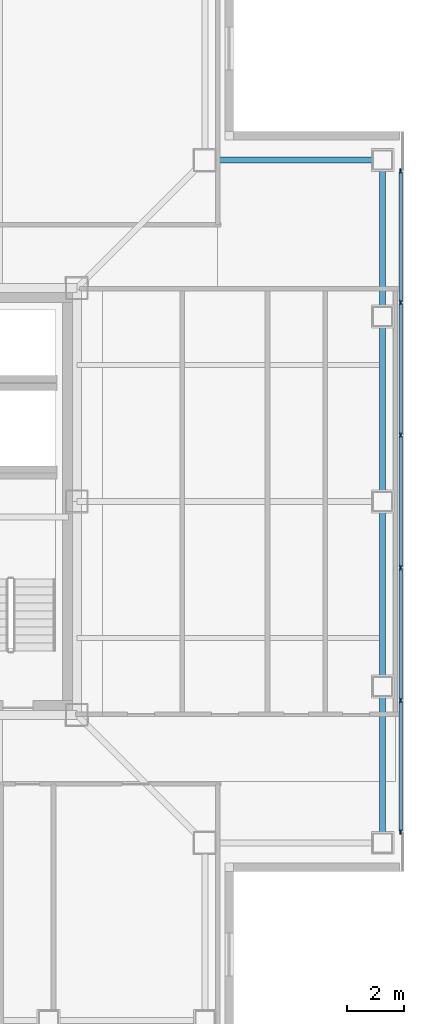
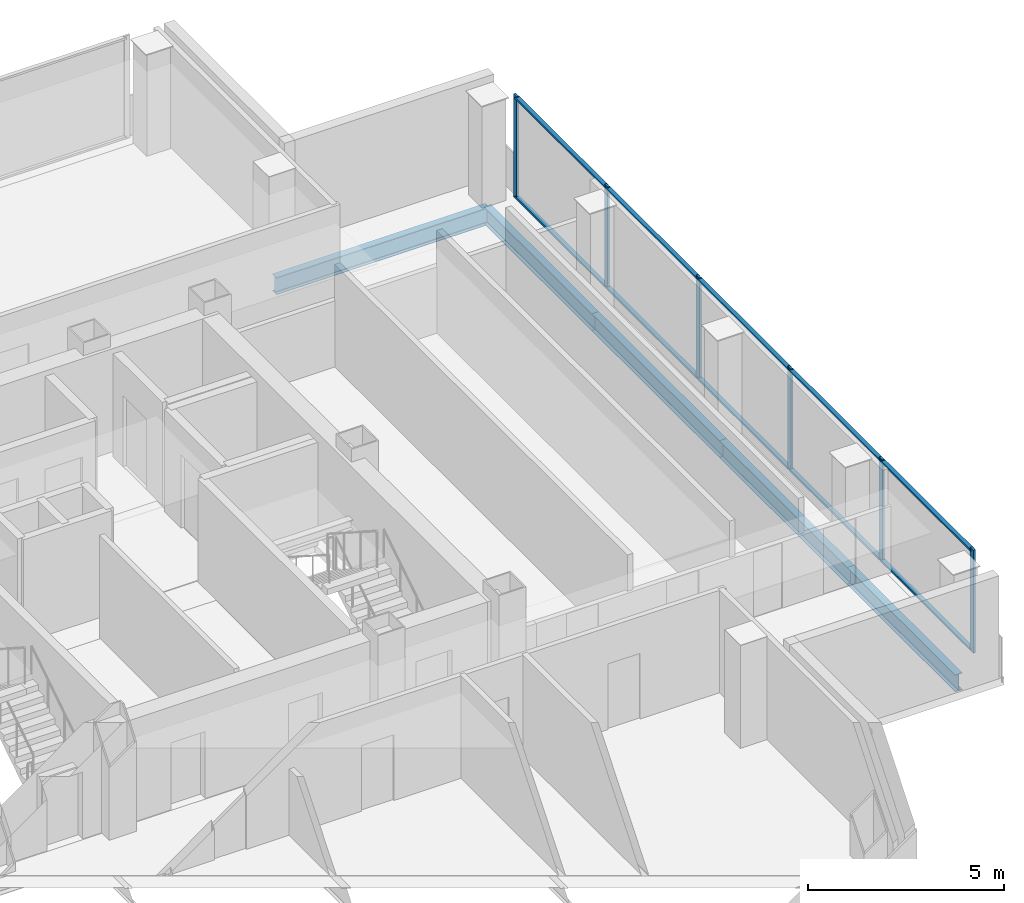
# One storey, part 6 of 16: 16 members, 5 beams, 1 element without a shape of its own.
"""IFC4 building model written with IfcOpenShell, lengths in metres."""

from ifc_helpers import new_model, si_unit, direction, frame, origin, origin_2d, place, context, subcontext, project, spatial, rectangle, i_section, extrude, material, layer, layer_set, material_profile, profile_set, type_object, element, aggregate, save


model = new_model("IFC4")

# Units and contexts
model_context = context("Model", 3, precision=1e-05, world=origin(), true_north=direction((0.0, 1.0)))
body_context = subcontext(model_context, "Body", "Model", "MODEL_VIEW")
ifc_project = project(units=[si_unit("LENGTHUNIT", "METRE"), si_unit("AREAUNIT", "SQUARE_METRE"), si_unit("VOLUMEUNIT", "CUBIC_METRE"), si_unit("PLANEANGLEUNIT", "RADIAN"), si_unit("MASSUNIT", "GRAM", prefix="KILO")], contexts=[model_context])

# Site, building, storey
site_placement = place(None, origin())
site = spatial("IfcSite", under=ifc_project, at=site_placement, CompositionType="ELEMENT")
building_placement = place(site_placement, origin())
building = spatial("IfcBuilding", under=site, at=building_placement, Name="Trevonay Congress Spire", CompositionType="ELEMENT")
storey_placement = place(building_placement, frame((0.0, 0.0, 297.199951171875)))
storey = spatial("IfcBuildingStorey", under=building, at=storey_placement, Name="L78", CompositionType="ELEMENT", Elevation=297.199951171875)

# Beams
ifc_material_1 = material(Name="Steel ASTM A572 Grade 50", Category="steel")
ifc_material_profile_1 = material_profile(ifc_material_1, i_section(OverallWidth=0.208984375, OverallDepth=0.532958984375, WebThickness=0.01025390625, FlangeThickness=0.015625, FilletRadius=0.014892578125, at=origin_2d()), Name="W530x92")
ifc_profile_set_1 = profile_set([ifc_material_profile_1], Name="Steel ASTM A572 Grade 50")
beam_type = type_object("IfcBeamType", Name="BM-RING-W530X92", PredefinedType="BEAM", material=ifc_profile_set_1)
beam_1_placement = place(storey_placement, frame((18.25, -12.0, -0.50634765625), z_axis=(0.0, 1.0, 0.0), x_axis=(-1.0, 0.0, 0.0)))
element("IfcBeam", 1, at=beam_1_placement, inside=storey, type_object=beam_type, Name="L78 structural beam BM-L78-PE1", PredefinedType="BEAM", context=body_context, shape_type="SweptSolid", body=[
    extrude(i_section(OverallWidth=0.208984375, OverallDepth=0.532958984375, WebThickness=0.01025390625, FlangeThickness=0.015625, FilletRadius=0.014892578125, at=origin_2d()), origin(), (0.0, 0.0, 1.0), 5.5),
])
for number, where, z_axis, x_axis, name in (
    (2, (18.25, -6.5, -0.50634765625), (0.0, 1.0, 0.0), (-1.0, 0.0, 0.0), "L78 structural beam BM-L78-PE2"),
    (3, (18.25, 0.0, -0.50634765625), (0.0, 1.0, 0.0), (-1.0, 0.0, 0.0), "L78 structural beam BM-L78-PE3"),
):
    element("IfcBeam", number, at=place(storey_placement, frame(where, z_axis=z_axis, x_axis=x_axis)), inside=storey, type_object=beam_type, Name=name, PredefinedType="BEAM", context=body_context, shape_type="SweptSolid", body=[
        extrude(i_section(OverallWidth=0.208984375, OverallDepth=0.532958984375, WebThickness=0.01025390625, FlangeThickness=0.015625, FilletRadius=0.014892578125, at=origin_2d()), origin(), (0.0, 0.0, 1.0), 6.5),
    ])
beam_2_placement = place(storey_placement, frame((18.25, 6.5, -0.50634765625), z_axis=(0.0, 1.0, 0.0), x_axis=(-1.0, 0.0, 0.0)))
element("IfcBeam", 4, at=beam_2_placement, inside=storey, type_object=beam_type, Name="L78 structural beam BM-L78-PE4", PredefinedType="BEAM", context=body_context, shape_type="SweptSolid", body=[
    extrude(i_section(OverallWidth=0.208984375, OverallDepth=0.532958984375, WebThickness=0.01025390625, FlangeThickness=0.015625, FilletRadius=0.014892578125, at=origin_2d()), origin(), (0.0, 0.0, 1.0), 5.5),
])
beam_3_placement = place(storey_placement, frame((18.25, 12.0, -0.50634765625), z_axis=(-1.0, 0.0, 0.0), x_axis=(0.0, -1.0, 0.0)))
element("IfcBeam", 5, at=beam_3_placement, inside=storey, type_object=beam_type, Name="L78 structural beam BM-L78-N2NE", PredefinedType="BEAM", context=body_context, shape_type="SweptSolid", body=[
    extrude(i_section(OverallWidth=0.208984375, OverallDepth=0.532958984375, WebThickness=0.01025390625, FlangeThickness=0.015625, FilletRadius=0.014892578125, at=origin_2d()), origin(), (0.0, 0.0, 1.0), 6.25),
])

# Curtain wall, members
ifc_material_2 = material(Name="Pale Anodised Aluminium EN AW-6063-T6", Category="aluminium")
ifc_layer = layer(ifc_material_2, 0.1650390625, Name="Pale Anodised Aluminium EN AW-6063-T6")
ifc_layer_set = layer_set([ifc_layer], Name="Pale Anodised Aluminium EN AW-6063-T6")
curtain_wall_type = type_object("IfcCurtainWallType", Name="CW-SYS05-DIPLOM-PALE-METAL", PredefinedType="NOTDEFINED", material=ifc_layer_set)
curtain_wall_placement = place(storey_placement, origin())
curtain_wall = element("IfcCurtainWall", 6, at=curtain_wall_placement, inside=storey, type_object=curtain_wall_type, Name="L78 E unitised curtain wall", PredefinedType="NOTDEFINED")
ifc_material_profile_2 = material_profile(ifc_material_2, rectangle(XDim=0.06005859375, YDim=0.159912109375, at=origin_2d()), Name="CW-MULLION-160-ALUMINIUM")
ifc_profile_set_2 = profile_set([ifc_material_profile_2], Name="Pale Anodised Aluminium EN AW-6063-T6")
member_type_1 = type_object("IfcMemberType", Name="CW-MULLION-160-ALUMINIUM", PredefinedType="MULLION", material=ifc_profile_set_2)
member_1_placement = place(storey_placement, frame((18.8798828125, -11.6201171875, 0.0), z_axis=(0.0, 0.0, 1.0), x_axis=(-1.0, 0.0, 0.0)))
member_1 = element("IfcMember", 7, at=member_1_placement, type_object=member_type_1, Name="CW05 mullion 1", PredefinedType="MULLION", context=body_context, shape_type="SweptSolid", body=[
    extrude(rectangle(XDim=0.06005859375, YDim=0.159912109375, at=origin_2d()), origin(), (0.0, 0.0, 1.0), 3.199951171875),
])
member_2_placement = place(storey_placement, frame((18.8798828125, -6.989990234375, 0.0), z_axis=(0.0, 0.0, 1.0), x_axis=(-1.0, 0.0, 0.0)))
member_2 = element("IfcMember", 8, at=member_2_placement, type_object=member_type_1, Name="CW05 mullion 2", PredefinedType="MULLION", context=body_context, shape_type="SweptSolid", body=[
    extrude(rectangle(XDim=0.06005859375, YDim=0.159912109375, at=origin_2d()), origin(), (0.0, 0.0, 1.0), 3.199951171875),
])
member_3_placement = place(storey_placement, frame((18.8798828125, -2.330078125, 0.0), z_axis=(0.0, 0.0, 1.0), x_axis=(-1.0, 0.0, 0.0)))
member_3 = element("IfcMember", 9, at=member_3_placement, type_object=member_type_1, Name="CW05 mullion 3", PredefinedType="MULLION", context=body_context, shape_type="SweptSolid", body=[
    extrude(rectangle(XDim=0.06005859375, YDim=0.159912109375, at=origin_2d()), origin(), (0.0, 0.0, 1.0), 3.199951171875),
])
member_4_placement = place(storey_placement, frame((18.8798828125, 2.330078125, 0.0), z_axis=(0.0, 0.0, 1.0), x_axis=(-1.0, 0.0, 0.0)))
member_4 = element("IfcMember", 10, at=member_4_placement, type_object=member_type_1, Name="CW05 mullion 4", PredefinedType="MULLION", context=body_context, shape_type="SweptSolid", body=[
    extrude(rectangle(XDim=0.06005859375, YDim=0.159912109375, at=origin_2d()), origin(), (0.0, 0.0, 1.0), 3.199951171875),
])
member_5_placement = place(storey_placement, frame((18.8798828125, 6.989990234375, 0.0), z_axis=(0.0, 0.0, 1.0), x_axis=(-1.0, 0.0, 0.0)))
member_5 = element("IfcMember", 11, at=member_5_placement, type_object=member_type_1, Name="CW05 mullion 5", PredefinedType="MULLION", context=body_context, shape_type="SweptSolid", body=[
    extrude(rectangle(XDim=0.06005859375, YDim=0.159912109375, at=origin_2d()), origin(), (0.0, 0.0, 1.0), 3.199951171875),
])
member_6_placement = place(storey_placement, frame((18.8798828125, 11.6201171875, 0.0), z_axis=(0.0, 0.0, 1.0), x_axis=(-1.0, 0.0, 0.0)))
member_6 = element("IfcMember", 12, at=member_6_placement, type_object=member_type_1, Name="CW05 mullion 6", PredefinedType="MULLION", context=body_context, shape_type="SweptSolid", body=[
    extrude(rectangle(XDim=0.06005859375, YDim=0.159912109375, at=origin_2d()), origin(), (0.0, 0.0, 1.0), 3.199951171875),
])
ifc_material_profile_3 = material_profile(ifc_material_2, rectangle(XDim=0.1201171875, YDim=0.06005859375, at=origin_2d()), Name="CW-TRANSOM-120-ALUMINIUM")
ifc_profile_set_3 = profile_set([ifc_material_profile_3], Name="Pale Anodised Aluminium EN AW-6063-T6")
member_type_2 = type_object("IfcMemberType", Name="CW-TRANSOM-120-ALUMINIUM", PredefinedType="USERDEFINED", material=ifc_profile_set_3)
member_7_placement = place(storey_placement, frame((18.8798828125, -11.590087890625, 0.06005859375), z_axis=(0.0, 1.0, 0.0), x_axis=(-1.0, 0.0, 0.0)))
member_7 = element("IfcMember", 13, at=member_7_placement, type_object=member_type_2, Name="CW05 transom 1.1", ObjectType="TRANSOM", PredefinedType="USERDEFINED", context=body_context, shape_type="SweptSolid", body=[
    extrude(rectangle(XDim=0.1201171875, YDim=0.06005859375, at=origin_2d()), origin(), (0.0, 0.0, 1.0), 4.570068359375),
])
member_8_placement = place(storey_placement, frame((18.8798828125, -11.590087890625, 3.14013671875), z_axis=(0.0, 1.0, 0.0), x_axis=(-1.0, 0.0, 0.0)))
member_8 = element("IfcMember", 14, at=member_8_placement, type_object=member_type_2, Name="CW05 transom 1.2", ObjectType="TRANSOM", PredefinedType="USERDEFINED", context=body_context, shape_type="SweptSolid", body=[
    extrude(rectangle(XDim=0.1201171875, YDim=0.06005859375, at=origin_2d()), origin(), (0.0, 0.0, 1.0), 4.570068359375),
])
member_9_placement = place(storey_placement, frame((18.8798828125, -6.9599609375, 0.06005859375), z_axis=(0.0, 1.0, 0.0), x_axis=(-1.0, 0.0, 0.0)))
member_9 = element("IfcMember", 15, at=member_9_placement, type_object=member_type_2, Name="CW05 transom 2.1", ObjectType="TRANSOM", PredefinedType="USERDEFINED", context=body_context, shape_type="SweptSolid", body=[
    extrude(rectangle(XDim=0.1201171875, YDim=0.06005859375, at=origin_2d()), origin(), (0.0, 0.0, 1.0), 4.599853515625),
])
member_10_placement = place(storey_placement, frame((18.8798828125, -6.9599609375, 3.14013671875), z_axis=(0.0, 1.0, 0.0), x_axis=(-1.0, 0.0, 0.0)))
member_10 = element("IfcMember", 16, at=member_10_placement, type_object=member_type_2, Name="CW05 transom 2.2", ObjectType="TRANSOM", PredefinedType="USERDEFINED", context=body_context, shape_type="SweptSolid", body=[
    extrude(rectangle(XDim=0.1201171875, YDim=0.06005859375, at=origin_2d()), origin(), (0.0, 0.0, 1.0), 4.599853515625),
])
member_11_placement = place(storey_placement, frame((18.8798828125, -2.300048828125, 0.06005859375), z_axis=(0.0, 1.0, 0.0), x_axis=(-1.0, 0.0, 0.0)))
member_11 = element("IfcMember", 17, at=member_11_placement, type_object=member_type_2, Name="CW05 transom 3.1", ObjectType="TRANSOM", PredefinedType="USERDEFINED", context=body_context, shape_type="SweptSolid", body=[
    extrude(rectangle(XDim=0.1201171875, YDim=0.06005859375, at=origin_2d()), origin(), (0.0, 0.0, 1.0), 4.60009765625),
])
member_12_placement = place(storey_placement, frame((18.8798828125, -2.300048828125, 3.14013671875), z_axis=(0.0, 1.0, 0.0), x_axis=(-1.0, 0.0, 0.0)))
member_12 = element("IfcMember", 18, at=member_12_placement, type_object=member_type_2, Name="CW05 transom 3.2", ObjectType="TRANSOM", PredefinedType="USERDEFINED", context=body_context, shape_type="SweptSolid", body=[
    extrude(rectangle(XDim=0.1201171875, YDim=0.06005859375, at=origin_2d()), origin(), (0.0, 0.0, 1.0), 4.60009765625),
])
member_13_placement = place(storey_placement, frame((18.8798828125, 2.360107421875, 0.06005859375), z_axis=(0.0, 1.0, 0.0), x_axis=(-1.0, 0.0, 0.0)))
member_13 = element("IfcMember", 19, at=member_13_placement, type_object=member_type_2, Name="CW05 transom 4.1", ObjectType="TRANSOM", PredefinedType="USERDEFINED", context=body_context, shape_type="SweptSolid", body=[
    extrude(rectangle(XDim=0.1201171875, YDim=0.06005859375, at=origin_2d()), origin(), (0.0, 0.0, 1.0), 4.599853515625),
])
member_14_placement = place(storey_placement, frame((18.8798828125, 2.360107421875, 3.14013671875), z_axis=(0.0, 1.0, 0.0), x_axis=(-1.0, 0.0, 0.0)))
member_14 = element("IfcMember", 20, at=member_14_placement, type_object=member_type_2, Name="CW05 transom 4.2", ObjectType="TRANSOM", PredefinedType="USERDEFINED", context=body_context, shape_type="SweptSolid", body=[
    extrude(rectangle(XDim=0.1201171875, YDim=0.06005859375, at=origin_2d()), origin(), (0.0, 0.0, 1.0), 4.599853515625),
])
member_15_placement = place(storey_placement, frame((18.8798828125, 7.02001953125, 0.06005859375), z_axis=(0.0, 1.0, 0.0), x_axis=(-1.0, 0.0, 0.0)))
member_15 = element("IfcMember", 21, at=member_15_placement, type_object=member_type_2, Name="CW05 transom 5.1", ObjectType="TRANSOM", PredefinedType="USERDEFINED", context=body_context, shape_type="SweptSolid", body=[
    extrude(rectangle(XDim=0.1201171875, YDim=0.06005859375, at=origin_2d()), origin(), (0.0, 0.0, 1.0), 4.570068359375),
])
member_16_placement = place(storey_placement, frame((18.8798828125, 7.02001953125, 3.14013671875), z_axis=(0.0, 1.0, 0.0), x_axis=(-1.0, 0.0, 0.0)))
member_16 = element("IfcMember", 22, at=member_16_placement, type_object=member_type_2, Name="CW05 transom 5.2", ObjectType="TRANSOM", PredefinedType="USERDEFINED", context=body_context, shape_type="SweptSolid", body=[
    extrude(rectangle(XDim=0.1201171875, YDim=0.06005859375, at=origin_2d()), origin(), (0.0, 0.0, 1.0), 4.570068359375),
])
aggregate(curtain_wall, [member_1, member_2, member_3, member_4, member_5, member_6, member_7, member_8, member_9, member_10, member_11, member_12, member_13, member_14, member_15, member_16])

save(model, "model.ifc")
